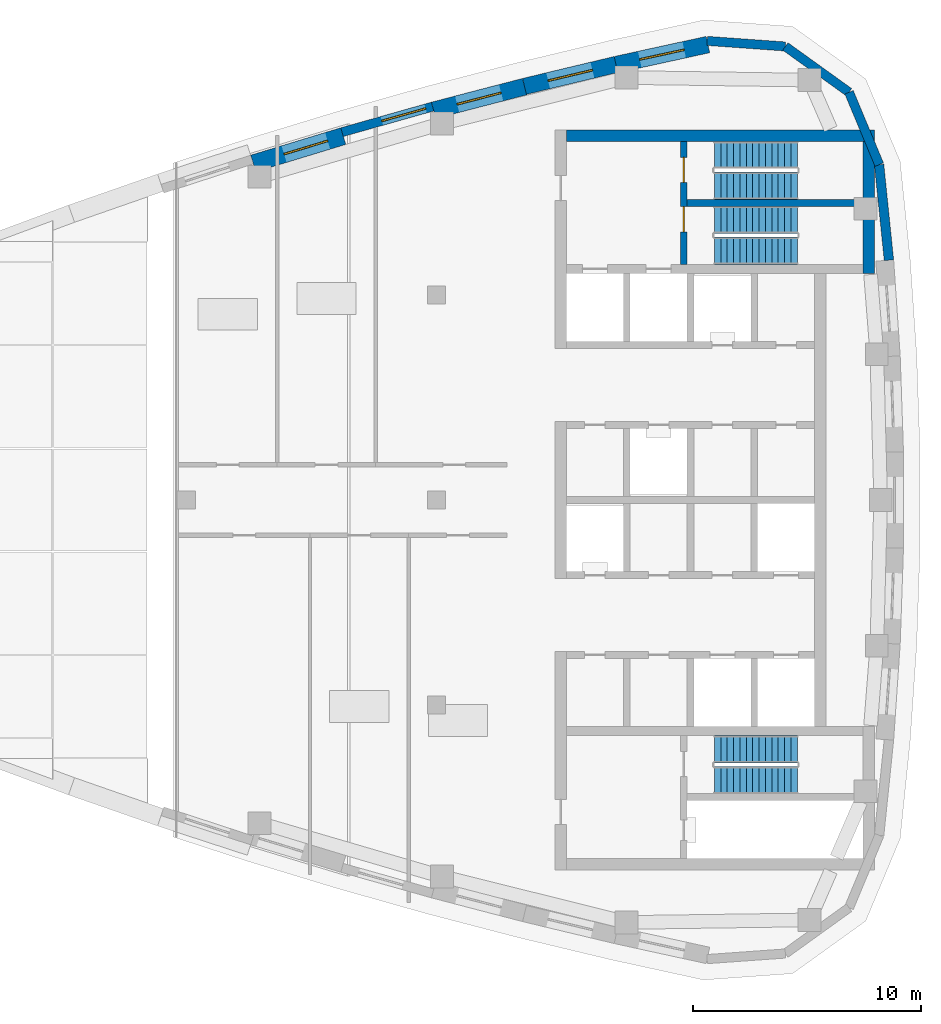
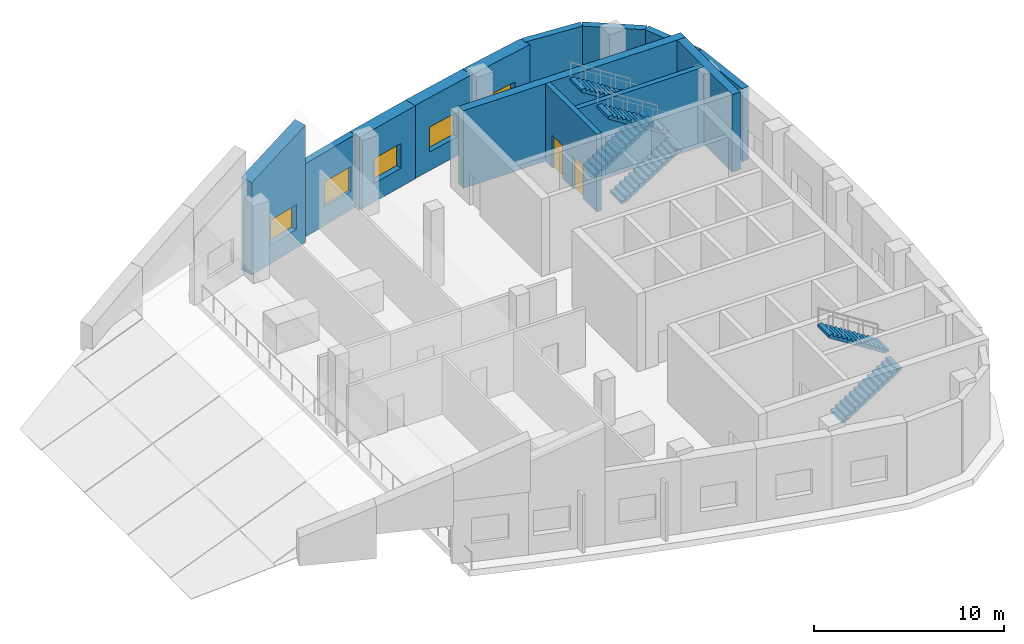
# One storey, part 4 of 8: 13 walls, 6 stair flights, 5 windows, 2 doors, 7 openings, 3 elements without a shape of their own.
"""IFC4 building model written with IfcOpenShell, lengths in metres."""

import ifcopenshell
import ifcopenshell.guid

model = None  # the IFC model being written
_history = None  # IfcOwnerHistory: only IFC2X3 demands one
_inside = {}  # id of a spatial element -> (the spatial element, [elements in it])
_under = {}  # id of a project, library or spatial element -> (it, [spatial elements below it])
_declared = {}  # id of a project -> (the project, [libraries it declares])
_typed = {}  # id of a type object -> (the type object, [elements of that type])
_made_of = {}  # id of a material, layer set ... -> (it, [elements and type objects made of it])


def new_model(schema):
    """Start an empty IFC model of exactly this schema.

    Asked for "IFC4X3", IfcOpenShell would pick the latest addendum, in which some entities
    have other attributes; the version numbers below select the first issue.
    IFC2X3 requires an IfcOwnerHistory on every rooted entity: one is made here for all.
    """
    global model, _history
    if schema == "IFC4X3":
        model = ifcopenshell.file(schema_version=(4, 3, 0, 0))
    else:
        model = ifcopenshell.file(schema=schema)
    _inside.clear()
    _under.clear()
    _declared.clear()
    _typed.clear()
    _made_of.clear()
    _history = None
    if model.schema == "IFC2X3":
        org = make("IfcOrganization", Name="unknown")
        user = make(
            "IfcPersonAndOrganization",
            ThePerson=make("IfcPerson", FamilyName="unknown"),
            TheOrganization=org,
        )
        app = make(
            "IfcApplication",
            ApplicationDeveloper=org,
            Version="unknown",
            ApplicationFullName="unknown",
            ApplicationIdentifier="unknown",
        )
        _history = make(
            "IfcOwnerHistory",
            OwningUser=user,
            OwningApplication=app,
            ChangeAction="ADDED",
            CreationDate=0,
        )
    return model


def make(cls, **values):
    """One entity of the class cls with the attributes given. An attribute that is None is left unset."""
    return model.create_entity(
        cls, **{name: value for name, value in values.items() if value is not None}
    )


def rooted(cls, **values):
    """An entity with a GlobalId (a new one), such as an element, a storey or a relation."""
    return make(cls, GlobalId=ifcopenshell.guid.new(), OwnerHistory=_history, **values)


def si_unit(unit_type, name, prefix=None):
    """IfcSIUnit, for example si_unit("LENGTHUNIT", "METRE", prefix="MILLI")."""
    return make("IfcSIUnit", UnitType=unit_type, Prefix=prefix, Name=name)


def assignment(units):
    """IfcUnitAssignment: the units of a project."""
    return None if units is None else make("IfcUnitAssignment", Units=units)


def point(xyz):
    """IfcCartesianPoint."""
    return None if xyz is None else make("IfcCartesianPoint", Coordinates=xyz)


def direction(xyz):
    """IfcDirection."""
    return None if xyz is None else make("IfcDirection", DirectionRatios=xyz)


def frame(location, z_axis=None, x_axis=None):
    """IfcAxis2Placement3D, a coordinate frame: its origin and axes. An axis left out is left unset."""
    return make(
        "IfcAxis2Placement3D",
        Location=point(location),
        Axis=direction(z_axis),
        RefDirection=direction(x_axis),
    )


def frame_2d(location, x_axis=None):
    """IfcAxis2Placement2D, a coordinate frame in the plane: its origin and x axis."""
    return make(
        "IfcAxis2Placement2D", Location=point(location), RefDirection=direction(x_axis)
    )


def origin():
    """The frame at (0, 0, 0) with its axes left unset."""
    return frame((0.0, 0.0, 0.0))


def place(relative_to, where):
    """IfcLocalPlacement: puts the frame where relative to a parent placement (None: the world)."""
    return make(
        "IfcLocalPlacement", PlacementRelTo=relative_to, RelativePlacement=where
    )


def context(
    kind, dimensions, precision=None, world=None, true_north=None, identifier=None
):
    """IfcGeometricRepresentationContext, for example the 3D "Model" context."""
    return make(
        "IfcGeometricRepresentationContext",
        ContextIdentifier=identifier,
        ContextType=kind,
        CoordinateSpaceDimension=dimensions,
        Precision=precision,
        WorldCoordinateSystem=world,
        TrueNorth=true_north,
    )


def subcontext(parent, identifier, kind, view, scale=None):
    """IfcGeometricRepresentationSubContext, for example "Body" below "Model"."""
    return make(
        "IfcGeometricRepresentationSubContext",
        ContextIdentifier=identifier,
        ContextType=kind,
        ParentContext=parent,
        TargetScale=scale,
        TargetView=view,
    )


def project(units=None, contexts=None):
    """IfcProject with its units and contexts."""
    return rooted(
        "IfcProject",
        Name="project",
        RepresentationContexts=contexts,
        UnitsInContext=assignment(units),
    )


def spatial(cls, under=None, at=None, **own):
    """A site, building, storey or space (cls), placed at a placement, below another one or the project."""
    s = rooted(cls, ObjectPlacement=at, **own)
    if under is not None:
        _under.setdefault(under.id(), (under, []))[1].append(s)
    return s


def polyline(points):
    """IfcPolyline through the points."""
    return make("IfcPolyline", Points=[point(p) for p in points])


def profile(cls, at=None, kind="AREA", **sizes):
    """A parametric profile (cls). Its sizes go by their IFC names, for example OverallWidth=200.0."""
    return make(cls, ProfileType=kind, Position=at, **sizes)


def rectangle(**sizes):
    """IfcRectangleProfileDef."""
    return profile("IfcRectangleProfileDef", **sizes)


def outline(outer, holes=None, kind="AREA"):
    """IfcArbitraryClosedProfileDef: a profile drawn as a closed curve; with holes, ...WithVoids."""
    if holes is None:
        return make("IfcArbitraryClosedProfileDef", ProfileType=kind, OuterCurve=outer)
    return make(
        "IfcArbitraryProfileDefWithVoids",
        ProfileType=kind,
        OuterCurve=outer,
        InnerCurves=holes,
    )


def extrude(swept, where, along, depth):
    """IfcExtrudedAreaSolid: the profile swept, set in the frame where, extruded along a direction by depth."""
    return make(
        "IfcExtrudedAreaSolid",
        SweptArea=swept,
        Position=where,
        ExtrudedDirection=direction(along),
        Depth=depth,
    )


def shape(context_of_items, identifier, shape_type, items):
    """IfcShapeRepresentation: the items that make up one representation, for example the "Body"."""
    return make(
        "IfcShapeRepresentation",
        ContextOfItems=context_of_items,
        RepresentationIdentifier=identifier,
        RepresentationType=shape_type,
        Items=items,
    )


def material(Name=None, Category=None):
    """IfcMaterial."""
    return make("IfcMaterial", Name=Name, Category=Category)


def layer(
    of_material, thickness, ventilated=None, Name=None, Category=None, Priority=None
):
    """IfcMaterialLayer: one layer of a wall or slab, of a material (None: an air gap)."""
    return make(
        "IfcMaterialLayer",
        Material=of_material,
        LayerThickness=thickness,
        IsVentilated=ventilated,
        Name=Name,
        Category=Category,
        Priority=Priority,
    )


def layer_set(layers, Name=None):
    """IfcMaterialLayerSet."""
    return make("IfcMaterialLayerSet", MaterialLayers=layers, LayerSetName=Name)


def made_of(thing, what):
    """Note that an element or type object is made of a material, layer set ...; save() writes the relation."""
    if what is not None:
        _made_of.setdefault(what.id(), (what, []))[1].append(thing)
    return thing


def type_object(cls, material=None, **own):
    """A type object (cls), such as IfcWallType, which elements share."""
    return made_of(rooted(cls, **own), material)


def element(
    cls,
    number,
    at=None,
    inside=None,
    cuts=None,
    type_object=None,
    material=None,
    context=None,
    identifier="Body",
    shape_type=None,
    held_by="IfcProductDefinitionShape",
    body=None,
    shapes=None,
    **own,
):
    """One element of the class cls, such as IfcWall. Its Tag is "e" and its number.

    at: its placement. inside: the storey or other place that contains it. cuts: it is an
    opening in that element (IfcRelVoidsElement). A single representation is given by context,
    identifier, shape_type and body (its items); several are given by shapes. held_by: the class
    of the entity that holds the representations. save() writes the other relations.
    """
    e = rooted(cls, Tag="e%d" % number, ObjectPlacement=at, **own)
    if body is not None:
        shapes = [shape(context, identifier, shape_type, body)]
    if shapes is not None:
        e.Representation = make(held_by, Representations=shapes)
    if inside is not None:
        _inside.setdefault(inside.id(), (inside, []))[1].append(e)
    if cuts is not None:
        rooted(
            "IfcRelVoidsElement", RelatingBuildingElement=cuts, RelatedOpeningElement=e
        )
    if type_object is not None:
        _typed.setdefault(type_object.id(), (type_object, []))[1].append(e)
    return made_of(e, material)


def fill(opening, filler):
    """IfcRelFillsElement: the door or window that sits in an opening."""
    return rooted(
        "IfcRelFillsElement",
        RelatingOpeningElement=opening,
        RelatedBuildingElement=filler,
    )


def aggregate(whole, parts):
    """IfcRelAggregates: a whole, such as a stair, and the parts it consists of."""
    return rooted("IfcRelAggregates", RelatingObject=whole, RelatedObjects=parts)


def save(model, path):
    """Write the relations noted so far, then the file.

    IfcRelAggregates (storeys below a building ...), IfcRelContainedInSpatialStructure (elements
    in a storey), IfcRelDefinesByType, IfcRelAssociatesMaterial and IfcRelDeclares: one each for
    every whole, place, type object, material and project.
    """
    for whole, parts in _under.values():
        aggregate(whole, parts)
    for where, things in _inside.values():
        rooted(
            "IfcRelContainedInSpatialStructure",
            RelatedElements=things,
            RelatingStructure=where,
        )
    for kind, things in _typed.values():
        rooted("IfcRelDefinesByType", RelatedObjects=things, RelatingType=kind)
    for what, things in _made_of.values():
        rooted("IfcRelAssociatesMaterial", RelatedObjects=things, RelatingMaterial=what)
    for by, libraries in _declared.values():
        rooted("IfcRelDeclares", RelatingContext=by, RelatedDefinitions=libraries)
    model.write(path)


model = new_model("IFC4")

# Units and contexts
model_context = context("Model", 3, precision=1e-05, world=origin(), true_north=direction((0.0, 1.0)))
body_context = subcontext(model_context, "Body", "Model", "MODEL_VIEW")
ifc_project = project(units=[si_unit("LENGTHUNIT", "METRE"), si_unit("AREAUNIT", "SQUARE_METRE"), si_unit("VOLUMEUNIT", "CUBIC_METRE"), si_unit("PLANEANGLEUNIT", "RADIAN"), si_unit("MASSUNIT", "GRAM", prefix="KILO")], contexts=[model_context])

# Site, building, storey
site_placement = place(None, origin())
site = spatial("IfcSite", under=ifc_project, at=site_placement, CompositionType="ELEMENT")
building_placement = place(site_placement, origin())
building = spatial("IfcBuilding", under=site, at=building_placement, Name="Ostrand Prow Hotel Tower", CompositionType="ELEMENT")
storey_placement = place(building_placement, frame((0.0, 0.0, 332.39990234375)))
storey = spatial("IfcBuildingStorey", under=building, at=storey_placement, Name="C6", CompositionType="ELEMENT", Elevation=332.39990234375)

# Wall, openings, doors
ifc_material_1 = material(Name="Concrete C40/50", Category="concrete")
ifc_layer_1 = layer(ifc_material_1, 0.300048828125)
ifc_layer_set_1 = layer_set([ifc_layer_1], Name="Concrete C40/50")
wall_type_1 = type_object("IfcWallType", Name="Core wall 300 C40/50", PredefinedType="SHEAR", material=ifc_layer_set_1)
wall_1_placement = place(storey_placement, frame((55.85009765625, 10.35009765625, 0.0), z_axis=(0.0, 0.0, 1.0), x_axis=(0.0, 1.0, 0.0)))
wall_1 = element("IfcWall", 1, at=wall_1_placement, inside=storey, type_object=wall_type_1, Name="Core wall PW-VN", PredefinedType="SHEAR", context=body_context, shape_type="SweptSolid", body=[
    extrude(rectangle(XDim=5.39990234375, YDim=0.300048828125, at=frame_2d((2.699951171875, 0.0))), origin(), (0.0, 0.0, 1.0), 5.0),
])
opening_1_placement = place(wall_1_placement, frame((1.429931640625, 0.0, 0.0)))
opening_1 = element("IfcOpeningElement", 2, at=opening_1_placement, cuts=wall_1, Name="Opening FD1", PredefinedType="OPENING", context=body_context, shape_type="SweptSolid", body=[
    extrude(rectangle(XDim=1.10009765625, YDim=2.10009765625, at=frame_2d((0.550048828125, 1.050048828125))), frame((0.0, 0.159912109375, 0.0), z_axis=(0.0, -1.0, 0.0), x_axis=(1.0, 0.0, 0.0)), (0.0, 0.0, 1.0), 0.320068359375),
])
opening_2_placement = place(wall_1_placement, frame((3.60009765625, 0.0, 0.0)))
opening_2 = element("IfcOpeningElement", 3, at=opening_2_placement, cuts=wall_1, Name="Opening FD1", PredefinedType="OPENING", context=body_context, shape_type="SweptSolid", body=[
    extrude(rectangle(XDim=1.10009765625, YDim=2.10009765625, at=frame_2d((0.550048828125, 1.050048828125))), frame((0.0, 0.159912109375, 0.0), z_axis=(0.0, -1.0, 0.0), x_axis=(1.0, 0.0, 0.0)), (0.0, 0.0, 1.0), 0.320068359375),
])
ifc_material_2 = material(Name="Steel fire door", Category="steel")
door_type = type_object("IfcDoorType", Name="Fire door 1100 EI120", OperationType="SINGLE_SWING_RIGHT", PredefinedType="DOOR", material=ifc_material_2)
door_1_placement = place(opening_1_placement, origin())
door_1 = element("IfcDoor", 4, at=door_1_placement, inside=storey, type_object=door_type, Name="FIRE DOOR", OperationType="SINGLE_SWING_RIGHT", OverallHeight=2.10009765625, OverallWidth=1.10009765625, PredefinedType="DOOR", context=body_context, shape_type="SweptSolid", body=[
    extrude(rectangle(XDim=1.10009765625, YDim=2.10009765625, at=frame_2d((0.550048828125, 1.050048828125))), frame((0.0, 0.02490234375, 0.0), z_axis=(0.0, -1.0, 0.0), x_axis=(1.0, 0.0, 0.0)), (0.0, 0.0, 1.0), 0.050048828125),
])
fill(opening_1, door_1)
door_2_placement = place(opening_2_placement, origin())
door_2 = element("IfcDoor", 5, at=door_2_placement, inside=storey, type_object=door_type, Name="FIRE DOOR", OperationType="SINGLE_SWING_RIGHT", OverallHeight=2.10009765625, OverallWidth=1.10009765625, PredefinedType="DOOR", context=body_context, shape_type="SweptSolid", body=[
    extrude(rectangle(XDim=1.10009765625, YDim=2.10009765625, at=frame_2d((0.550048828125, 1.050048828125))), frame((0.0, 0.02490234375, 0.0), z_axis=(0.0, -1.0, 0.0), x_axis=(1.0, 0.0, 0.0)), (0.0, 0.0, 1.0), 0.050048828125),
])
fill(opening_2, door_2)

# Walls
wall_2_placement = place(storey_placement, frame((56.0, 13.050048828125, 0.0), z_axis=(0.0, 0.0, 1.0), x_axis=(1.0, 0.0, 0.0)))
element("IfcWall", 6, at=wall_2_placement, inside=storey, type_object=wall_type_1, Name="Core wall PW-ST13", PredefinedType="SHEAR", context=body_context, shape_type="SweptSolid", body=[
    extrude(rectangle(XDim=7.719970703125, YDim=0.300048828125, at=frame_2d((3.85986328125, 0.0))), origin(), (0.0, 0.0, 1.0), 5.0),
])
ifc_material_3 = material(Name="Concrete C40/50", Category="concrete")
ifc_layer_2 = layer(ifc_material_3, 0.5)
ifc_layer_set_2 = layer_set([ifc_layer_2], Name="Concrete C40/50")
wall_type_2 = type_object("IfcWallType", Name="Core wall 500 C40/50", PredefinedType="SHEAR", material=ifc_layer_set_2)
wall_3_placement = place(storey_placement, frame((50.699951171875, 16.0, 0.0), z_axis=(0.0, 0.0, 1.0), x_axis=(1.0, 0.0, 0.0)))
element("IfcWall", 7, at=wall_3_placement, inside=storey, type_object=wall_type_2, Name="Core wall CW-N", PredefinedType="SHEAR", context=body_context, shape_type="SweptSolid", body=[
    extrude(rectangle(XDim=13.52001953125, YDim=0.5, at=frame_2d((6.760009765625, 0.0))), origin(), (0.0, 0.0, 1.0), 5.0),
])
wall_4_placement = place(storey_placement, frame((63.969970703125, 9.949951171875, 0.0), z_axis=(0.0, 0.0, 1.0), x_axis=(0.0, 1.0, 0.0)))
element("IfcWall", 8, at=wall_4_placement, inside=storey, type_object=wall_type_2, Name="Core wall CW-E-N", PredefinedType="SHEAR", context=body_context, shape_type="SweptSolid", body=[
    extrude(rectangle(XDim=5.800048828125, YDim=0.5, at=frame_2d((2.89990234375, 0.0))), origin(), (0.0, 0.0, 1.0), 5.0),
])
ifc_material_4 = material(Name="Precast concrete C40/50", Category="concrete")
ifc_layer_3 = layer(ifc_material_4, 0.39990234375)
ifc_layer_set_3 = layer_set([ifc_layer_3], Name="Precast concrete C40/50")
wall_type_3 = type_object("IfcWallType", Name="Stone-faced precast wall 400 mm", PredefinedType="NOTDEFINED", material=ifc_layer_set_3)
wall_5_placement = place(storey_placement, frame((64.86328125, 10.531005859375, 0.0), z_axis=(0.0, 0.0, 1.0), x_axis=(-0.102219795478, 0.994761837533, 0.0)))
element("IfcWall", 9, at=wall_5_placement, inside=storey, type_object=wall_type_3, Name="Crown side wall C6 25", PredefinedType="NOTDEFINED", context=body_context, shape_type="SweptSolid", body=[
    extrude(rectangle(XDim=4.2177734375, YDim=0.413818359375, at=frame_2d((2.10888671875, 0.0))), origin(), (0.0, 0.0, 1.0), 4.7001953125),
])
for number, where, z_axis, x_axis, name in (
    (10, (64.43896484375, 14.727294921875, 0.0), (0.0, 0.0, 1.0), (-0.385279586197, 0.922799891884, 0.0), "Crown side wall C6 26"),
    (11, (63.11181640625, 17.906005859375, 0.0), (0.0, 0.0, 1.0), (-0.811948187253, 0.583729510319, 0.0), "Crown side wall C6 27"),
):
    element("IfcWall", number, at=place(storey_placement, frame(where, z_axis=z_axis, x_axis=x_axis)), inside=storey, type_object=wall_type_3, Name=name, PredefinedType="NOTDEFINED", context=body_context, shape_type="SweptSolid", body=[
        extrude(rectangle(XDim=3.444580078125, YDim=0.39990234375, at=frame_2d((1.72216796875, 0.0))), origin(), (0.0, 0.0, 1.0), 4.7001953125),
    ])
wall_6_placement = place(storey_placement, frame((60.31494140625, 19.916748046875, 0.0), z_axis=(0.0, 0.0, 1.0), x_axis=(-0.997465171407, 0.071156389945, 0.0)))
element("IfcWall", 12, at=wall_6_placement, inside=storey, type_object=wall_type_3, Name="Crown side wall C6 28", PredefinedType="NOTDEFINED", context=body_context, shape_type="SweptSolid", body=[
    extrude(rectangle(XDim=3.44482421875, YDim=0.39990234375, at=frame_2d((1.722412109375, 0.0))), origin(), (0.0, 0.0, 1.0), 4.7001953125),
])

# Wall, opening, window
wall_7_placement = place(storey_placement, frame((56.91455078125, 19.99951171875, 0.0), z_axis=(0.0, 0.0, 1.0), x_axis=(-0.977019340581, -0.213150670022, 0.0)))
wall_7 = element("IfcWall", 13, at=wall_7_placement, inside=storey, type_object=wall_type_3, Name="Crown side wall C6 29", PredefinedType="NOTDEFINED", context=body_context, shape_type="SweptSolid", body=[
    extrude(rectangle(XDim=4.132568359375, YDim=0.732666015625, at=frame_2d((2.06640625, 0.0))), origin(), (0.0, 0.0, 1.0), 4.7001953125),
])
opening_3_placement = place(wall_7_placement, frame((1.06640625, 0.0, 1.199951171875)))
opening_3 = element("IfcOpeningElement", 14, at=opening_3_placement, cuts=wall_7, Name="Opening WV1", PredefinedType="OPENING", context=body_context, shape_type="SweptSolid", body=[
    extrude(rectangle(XDim=2.0, YDim=1.60009765625, at=frame_2d((1.0, 0.800048828125))), frame((0.0, 0.376220703125, 0.0), z_axis=(0.0, -1.0, 0.0), x_axis=(1.0, 0.0, 0.0)), (0.0, 0.0, 1.0), 0.752685546875),
])
ifc_material_5 = material(Name="Bronze anodised aluminium louvre", Category="aluminium")
window_type = type_object("IfcWindowType", Name="Louvre vent 2000x1600", PartitioningType="SINGLE_PANEL", PredefinedType="WINDOW", material=ifc_material_5)
window_1_placement = place(opening_3_placement, origin())
window_1 = element("IfcWindow", 15, at=window_1_placement, inside=storey, type_object=window_type, Name="Louvre vent 29.1", OverallHeight=1.60009765625, OverallWidth=2.0, PartitioningType="SINGLE_PANEL", PredefinedType="WINDOW", context=body_context, shape_type="SweptSolid", body=[
    extrude(rectangle(XDim=2.0, YDim=1.60009765625, at=frame_2d((1.0, 0.800048828125))), frame((0.0, 0.030029296875, 0.0), z_axis=(0.0, -1.0, 0.0), x_axis=(1.0, 0.0, 0.0)), (0.0, 0.0, 1.0), 0.06005859375),
])
fill(opening_3, window_1)

wall_8_placement = place(storey_placement, frame((52.87890625, 19.125, 0.0), z_axis=(0.0, 0.0, 1.0), x_axis=(-0.972546345517, -0.232709273174, 0.0)))
wall_8 = element("IfcWall", 16, at=wall_8_placement, inside=storey, type_object=wall_type_3, Name="Crown side wall C6 30", PredefinedType="NOTDEFINED", context=body_context, shape_type="SweptSolid", body=[
    extrude(rectangle(XDim=4.132568359375, YDim=0.720703125, at=frame_2d((2.06640625, 0.0))), origin(), (0.0, 0.0, 1.0), 4.7001953125),
])
opening_4_placement = place(wall_8_placement, frame((1.06640625, 0.0, 1.199951171875)))
opening_4 = element("IfcOpeningElement", 17, at=opening_4_placement, cuts=wall_8, Name="Opening WV1", PredefinedType="OPENING", context=body_context, shape_type="SweptSolid", body=[
    extrude(rectangle(XDim=2.0, YDim=1.60009765625, at=frame_2d((1.0, 0.800048828125))), frame((0.0, 0.370361328125, 0.0), z_axis=(0.0, -1.0, 0.0), x_axis=(1.0, 0.0, 0.0)), (0.0, 0.0, 1.0), 0.74072265625),
])
window_2_placement = place(opening_4_placement, origin())
window_2 = element("IfcWindow", 18, at=window_2_placement, inside=storey, type_object=window_type, Name="Louvre vent 30.1", OverallHeight=1.60009765625, OverallWidth=2.0, PartitioningType="SINGLE_PANEL", PredefinedType="WINDOW", context=body_context, shape_type="SweptSolid", body=[
    extrude(rectangle(XDim=2.0, YDim=1.60009765625, at=frame_2d((1.0, 0.800048828125))), frame((0.0, 0.030029296875, 0.0), z_axis=(0.0, -1.0, 0.0), x_axis=(1.0, 0.0, 0.0)), (0.0, 0.0, 1.0), 0.06005859375),
])
fill(opening_4, window_2)

wall_9_placement = place(storey_placement, frame((48.865966796875, 18.152587890625, 0.0), z_axis=(0.0, 0.0, 1.0), x_axis=(-0.967657413064, -0.252267974466, 0.0)))
wall_9 = element("IfcWall", 19, at=wall_9_placement, inside=storey, type_object=wall_type_3, Name="Crown side wall C6 31", PredefinedType="NOTDEFINED", context=body_context, shape_type="SweptSolid", body=[
    extrude(rectangle(XDim=4.13232421875, YDim=0.74462890625, at=frame_2d((2.066162109375, 0.0))), origin(), (0.0, 0.0, 1.0), 4.7001953125),
])
opening_5_placement = place(wall_9_placement, frame((1.06640625, 0.0, 1.199951171875)))
opening_5 = element("IfcOpeningElement", 20, at=opening_5_placement, cuts=wall_9, Name="Opening WV1", PredefinedType="OPENING", context=body_context, shape_type="SweptSolid", body=[
    extrude(rectangle(XDim=2.0, YDim=1.60009765625, at=frame_2d((1.0, 0.800048828125))), frame((0.0, 0.38232421875, 0.0), z_axis=(0.0, -1.0, 0.0), x_axis=(1.0, 0.0, 0.0)), (0.0, 0.0, 1.0), 0.7646484375),
])
window_3_placement = place(opening_5_placement, origin())
window_3 = element("IfcWindow", 21, at=window_3_placement, inside=storey, type_object=window_type, Name="Louvre vent 31.1", OverallHeight=1.60009765625, OverallWidth=2.0, PartitioningType="SINGLE_PANEL", PredefinedType="WINDOW", context=body_context, shape_type="SweptSolid", body=[
    extrude(rectangle(XDim=2.0, YDim=1.60009765625, at=frame_2d((1.0, 0.800048828125))), frame((0.0, 0.030029296875, 0.0), z_axis=(0.0, -1.0, 0.0), x_axis=(1.0, 0.0, 0.0)), (0.0, 0.0, 1.0), 0.06005859375),
])
fill(opening_5, window_3)

wall_10_placement = place(storey_placement, frame((44.823486328125, 17.27685546875, 0.0), z_axis=(0.0, 0.0, 1.0), x_axis=(-0.962397415317, -0.27164538463, 0.0)))
wall_10 = element("IfcWall", 22, at=wall_10_placement, inside=storey, type_object=wall_type_3, Name="Crown side wall C6 32", PredefinedType="NOTDEFINED", context=body_context, shape_type="SweptSolid", body=[
    extrude(rectangle(XDim=4.13232421875, YDim=0.39990234375, at=frame_2d((2.066162109375, 0.0))), origin(), (0.0, 0.0, 1.0), 4.7001953125),
])
opening_6_placement = place(wall_10_placement, frame((0.31640625, 0.0, 1.199951171875)))
opening_6 = element("IfcOpeningElement", 23, at=opening_6_placement, cuts=wall_10, Name="Opening WV1", PredefinedType="OPENING", context=body_context, shape_type="SweptSolid", body=[
    extrude(rectangle(XDim=2.0, YDim=1.60009765625, at=frame_2d((1.0, 0.800048828125))), frame((0.0, 0.2099609375, 0.0), z_axis=(0.0, -1.0, 0.0), x_axis=(1.0, 0.0, 0.0)), (0.0, 0.0, 1.0), 0.419921875),
])
window_4_placement = place(opening_6_placement, origin())
window_4 = element("IfcWindow", 24, at=window_4_placement, inside=storey, type_object=window_type, Name="Louvre vent 32.1", OverallHeight=1.60009765625, OverallWidth=2.0, PartitioningType="SINGLE_PANEL", PredefinedType="WINDOW", context=body_context, shape_type="SweptSolid", body=[
    extrude(rectangle(XDim=2.0, YDim=1.60009765625, at=frame_2d((1.0, 0.800048828125))), frame((0.0, 0.030029296875, 0.0), z_axis=(0.0, -1.0, 0.0), x_axis=(1.0, 0.0, 0.0)), (0.0, 0.0, 1.0), 0.06005859375),
])
fill(opening_6, window_4)

wall_11_placement = place(storey_placement, frame((40.899658203125, 15.979736328125, 0.0), z_axis=(0.0, 0.0, 1.0), x_axis=(-0.956738247994, -0.290950038368, 0.0)))
wall_11 = element("IfcWall", 25, at=wall_11_placement, inside=storey, type_object=wall_type_3, Name="Crown side wall C6 33", PredefinedType="NOTDEFINED", context=body_context, shape_type="SweptSolid", body=[
    extrude(outline(polyline([(0.0, 0.0), (4.132568359375, 0.0), (4.132568359375, 5.96484375), (0.0, 7.56201171875), (0.0, 0.0)])), frame((0.0, 0.38232421875, 0.0), z_axis=(0.0, -1.0, 0.0), x_axis=(1.0, 0.0, 0.0)), (0.0, 0.0, 1.0), 0.764892578125),
])
opening_7_placement = place(wall_11_placement, frame((0.71630859375, 0.0, 1.199951171875)))
opening_7 = element("IfcOpeningElement", 26, at=opening_7_placement, cuts=wall_11, Name="Opening WV1", PredefinedType="OPENING", context=body_context, shape_type="SweptSolid", body=[
    extrude(rectangle(XDim=2.0, YDim=1.60009765625, at=frame_2d((1.0, 0.800048828125))), frame((0.0, 0.392333984375, 0.0), z_axis=(0.0, -1.0, 0.0), x_axis=(1.0, 0.0, 0.0)), (0.0, 0.0, 1.0), 0.784912109375),
])
window_5_placement = place(opening_7_placement, origin())
window_5 = element("IfcWindow", 27, at=window_5_placement, inside=storey, type_object=window_type, Name="Louvre vent 33.1", OverallHeight=1.60009765625, OverallWidth=2.0, PartitioningType="SINGLE_PANEL", PredefinedType="WINDOW", context=body_context, shape_type="SweptSolid", body=[
    extrude(rectangle(XDim=2.0, YDim=1.60009765625, at=frame_2d((1.0, 0.800048828125))), frame((0.0, 0.030029296875, 0.0), z_axis=(0.0, -1.0, 0.0), x_axis=(1.0, 0.0, 0.0)), (0.0, 0.0, 1.0), 0.06005859375),
])
fill(opening_7, window_5)

# Stair, stair flights
ifc_material_6 = material(Name="Concrete C40/50", Category="concrete")
stair_type = type_object("IfcStairType", Name="Exit stair 1200 upper zone", PredefinedType="HALF_TURN_STAIR", material=ifc_material_6)
stair_1_placement = place(storey_placement, origin())
stair_1 = element("IfcStair", 28, at=stair_1_placement, inside=storey, type_object=stair_type, Name="C6 ST1C", PredefinedType="HALF_TURN_STAIR")
ifc_material_7 = material(Name="Concrete C40/50", Category="concrete")
stair_flight_type = type_object("IfcStairFlightType", Name="Stair flight 1200 concrete", PredefinedType="STRAIGHT", material=ifc_material_7)
stair_flight_1_placement = place(storey_placement, frame((57.199951171875, 10.949951171875, 0.0), z_axis=(0.0, 0.0, 1.0), x_axis=(1.0, 0.0, 0.0)))
stair_flight_1 = element("IfcStairFlight", 29, at=stair_flight_1_placement, type_object=stair_flight_type, Name="ST1C flight 1", NumberOfRisers=14, NumberOfTreads=13, PredefinedType="STRAIGHT", RiserHeight=0.178571429, TreadLength=0.28, context=body_context, shape_type="SweptSolid", body=[
    extrude(outline(polyline([(0.0, 0.0), (0.0, 0.178466796875), (0.280029296875, 0.178466796875), (0.280029296875, 0.357177734375), (0.56005859375, 0.357177734375), (0.56005859375, 0.53564453125), (0.840087890625, 0.53564453125), (0.840087890625, 0.71435546875), (1.1201171875, 0.71435546875), (1.1201171875, 0.892822265625), (1.39990234375, 0.892822265625), (1.39990234375, 1.071533203125), (1.679931640625, 1.071533203125), (1.679931640625, 1.25), (1.9599609375, 1.25), (1.9599609375, 1.428466796875), (2.239990234375, 1.428466796875), (2.239990234375, 1.607177734375), (2.52001953125, 1.607177734375), (2.52001953125, 1.78564453125), (2.800048828125, 1.78564453125), (2.800048828125, 1.96435546875), (3.080078125, 1.96435546875), (3.080078125, 2.142822265625), (3.360107421875, 2.142822265625), (3.360107421875, 2.321533203125), (3.639892578125, 2.321533203125), (3.639892578125, 2.5), (3.639892578125, 2.1435546875), (0.27880859375, 0.0), (0.0, 0.0)])), frame((0.0, 0.60009765625, 0.0), z_axis=(0.0, -1.0, 0.0), x_axis=(1.0, 0.0, 0.0)), (0.0, 0.0, 1.0), 1.199951171875),
])
stair_flight_2_placement = place(storey_placement, frame((60.840087890625, 12.300048828125, 2.5), z_axis=(0.0, 0.0, 1.0), x_axis=(-1.0, 0.0, 0.0)))
stair_flight_2 = element("IfcStairFlight", 30, at=stair_flight_2_placement, type_object=stair_flight_type, Name="ST1C flight 2", NumberOfRisers=14, NumberOfTreads=13, PredefinedType="STRAIGHT", RiserHeight=0.178571429, TreadLength=0.28, context=body_context, shape_type="SweptSolid", body=[
    extrude(outline(polyline([(0.0, 0.0), (0.0, 0.178466796875), (0.280029296875, 0.178466796875), (0.280029296875, 0.357177734375), (0.56005859375, 0.357177734375), (0.56005859375, 0.53564453125), (0.840087890625, 0.53564453125), (0.840087890625, 0.71435546875), (1.1201171875, 0.71435546875), (1.1201171875, 0.892822265625), (1.39990234375, 0.892822265625), (1.39990234375, 1.071533203125), (1.679931640625, 1.071533203125), (1.679931640625, 1.25), (1.9599609375, 1.25), (1.9599609375, 1.428466796875), (2.239990234375, 1.428466796875), (2.239990234375, 1.607177734375), (2.52001953125, 1.607177734375), (2.52001953125, 1.78564453125), (2.800048828125, 1.78564453125), (2.800048828125, 1.96435546875), (3.080078125, 1.96435546875), (3.080078125, 2.142822265625), (3.360107421875, 2.142822265625), (3.360107421875, 2.321533203125), (3.639892578125, 2.321533203125), (3.639892578125, 2.5), (3.639892578125, 2.1435546875), (0.27880859375, 0.0), (0.0, 0.0)])), frame((0.0, 0.60009765625, 0.0), z_axis=(0.0, -1.0, 0.0), x_axis=(1.0, 0.0, 0.0)), (0.0, 0.0, 1.0), 1.199951171875),
])
aggregate(stair_1, [stair_flight_1, stair_flight_2])

stair_2_placement = place(storey_placement, origin())
stair_2 = element("IfcStair", 31, at=stair_2_placement, inside=storey, type_object=stair_type, Name="C6 ST3C", PredefinedType="HALF_TURN_STAIR")
stair_flight_3_placement = place(storey_placement, frame((57.199951171875, 13.800048828125, 0.0), z_axis=(0.0, 0.0, 1.0), x_axis=(1.0, 0.0, 0.0)))
stair_flight_3 = element("IfcStairFlight", 32, at=stair_flight_3_placement, type_object=stair_flight_type, Name="ST3C flight 1", NumberOfRisers=14, NumberOfTreads=13, PredefinedType="STRAIGHT", RiserHeight=0.178571429, TreadLength=0.28, context=body_context, shape_type="SweptSolid", body=[
    extrude(outline(polyline([(0.0, 0.0), (0.0, 0.178466796875), (0.280029296875, 0.178466796875), (0.280029296875, 0.357177734375), (0.56005859375, 0.357177734375), (0.56005859375, 0.53564453125), (0.840087890625, 0.53564453125), (0.840087890625, 0.71435546875), (1.1201171875, 0.71435546875), (1.1201171875, 0.892822265625), (1.39990234375, 0.892822265625), (1.39990234375, 1.071533203125), (1.679931640625, 1.071533203125), (1.679931640625, 1.25), (1.9599609375, 1.25), (1.9599609375, 1.428466796875), (2.239990234375, 1.428466796875), (2.239990234375, 1.607177734375), (2.52001953125, 1.607177734375), (2.52001953125, 1.78564453125), (2.800048828125, 1.78564453125), (2.800048828125, 1.96435546875), (3.080078125, 1.96435546875), (3.080078125, 2.142822265625), (3.360107421875, 2.142822265625), (3.360107421875, 2.321533203125), (3.639892578125, 2.321533203125), (3.639892578125, 2.5), (3.639892578125, 2.1435546875), (0.27880859375, 0.0), (0.0, 0.0)])), frame((0.0, 0.60009765625, 0.0), z_axis=(0.0, -1.0, 0.0), x_axis=(1.0, 0.0, 0.0)), (0.0, 0.0, 1.0), 1.199951171875),
])
stair_flight_4_placement = place(storey_placement, frame((60.840087890625, 15.14990234375, 2.5), z_axis=(0.0, 0.0, 1.0), x_axis=(-1.0, 0.0, 0.0)))
stair_flight_4 = element("IfcStairFlight", 33, at=stair_flight_4_placement, type_object=stair_flight_type, Name="ST3C flight 2", NumberOfRisers=14, NumberOfTreads=13, PredefinedType="STRAIGHT", RiserHeight=0.178571429, TreadLength=0.28, context=body_context, shape_type="SweptSolid", body=[
    extrude(outline(polyline([(0.0, 0.0), (0.0, 0.178466796875), (0.280029296875, 0.178466796875), (0.280029296875, 0.357177734375), (0.56005859375, 0.357177734375), (0.56005859375, 0.53564453125), (0.840087890625, 0.53564453125), (0.840087890625, 0.71435546875), (1.1201171875, 0.71435546875), (1.1201171875, 0.892822265625), (1.39990234375, 0.892822265625), (1.39990234375, 1.071533203125), (1.679931640625, 1.071533203125), (1.679931640625, 1.25), (1.9599609375, 1.25), (1.9599609375, 1.428466796875), (2.239990234375, 1.428466796875), (2.239990234375, 1.607177734375), (2.52001953125, 1.607177734375), (2.52001953125, 1.78564453125), (2.800048828125, 1.78564453125), (2.800048828125, 1.96435546875), (3.080078125, 1.96435546875), (3.080078125, 2.142822265625), (3.360107421875, 2.142822265625), (3.360107421875, 2.321533203125), (3.639892578125, 2.321533203125), (3.639892578125, 2.5), (3.639892578125, 2.1435546875), (0.27880859375, 0.0), (0.0, 0.0)])), frame((0.0, 0.60009765625, 0.0), z_axis=(0.0, -1.0, 0.0), x_axis=(1.0, 0.0, 0.0)), (0.0, 0.0, 1.0), 1.199951171875),
])
aggregate(stair_2, [stair_flight_3, stair_flight_4])

stair_3_placement = place(storey_placement, origin())
stair_3 = element("IfcStair", 34, at=stair_3_placement, inside=storey, type_object=stair_type, Name="C6 ST2C", PredefinedType="HALF_TURN_STAIR")
stair_flight_5_placement = place(storey_placement, frame((57.199951171875, -12.300048828125, 0.0), z_axis=(0.0, 0.0, 1.0), x_axis=(1.0, 0.0, 0.0)))
stair_flight_5 = element("IfcStairFlight", 35, at=stair_flight_5_placement, type_object=stair_flight_type, Name="ST2C flight 1", NumberOfRisers=14, NumberOfTreads=13, PredefinedType="STRAIGHT", RiserHeight=0.178571429, TreadLength=0.28, context=body_context, shape_type="SweptSolid", body=[
    extrude(outline(polyline([(0.0, 0.0), (0.0, 0.178466796875), (0.280029296875, 0.178466796875), (0.280029296875, 0.357177734375), (0.56005859375, 0.357177734375), (0.56005859375, 0.53564453125), (0.840087890625, 0.53564453125), (0.840087890625, 0.71435546875), (1.1201171875, 0.71435546875), (1.1201171875, 0.892822265625), (1.39990234375, 0.892822265625), (1.39990234375, 1.071533203125), (1.679931640625, 1.071533203125), (1.679931640625, 1.25), (1.9599609375, 1.25), (1.9599609375, 1.428466796875), (2.239990234375, 1.428466796875), (2.239990234375, 1.607177734375), (2.52001953125, 1.607177734375), (2.52001953125, 1.78564453125), (2.800048828125, 1.78564453125), (2.800048828125, 1.96435546875), (3.080078125, 1.96435546875), (3.080078125, 2.142822265625), (3.360107421875, 2.142822265625), (3.360107421875, 2.321533203125), (3.639892578125, 2.321533203125), (3.639892578125, 2.5), (3.639892578125, 2.1435546875), (0.27880859375, 0.0), (0.0, 0.0)])), frame((0.0, 0.60009765625, 0.0), z_axis=(0.0, -1.0, 0.0), x_axis=(1.0, 0.0, 0.0)), (0.0, 0.0, 1.0), 1.199951171875),
])
stair_flight_6_placement = place(storey_placement, frame((60.840087890625, -10.949951171875, 2.5), z_axis=(0.0, 0.0, 1.0), x_axis=(-1.0, 0.0, 0.0)))
stair_flight_6 = element("IfcStairFlight", 36, at=stair_flight_6_placement, type_object=stair_flight_type, Name="ST2C flight 2", NumberOfRisers=14, NumberOfTreads=13, PredefinedType="STRAIGHT", RiserHeight=0.178571429, TreadLength=0.28, context=body_context, shape_type="SweptSolid", body=[
    extrude(outline(polyline([(0.0, 0.0), (0.0, 0.178466796875), (0.280029296875, 0.178466796875), (0.280029296875, 0.357177734375), (0.56005859375, 0.357177734375), (0.56005859375, 0.53564453125), (0.840087890625, 0.53564453125), (0.840087890625, 0.71435546875), (1.1201171875, 0.71435546875), (1.1201171875, 0.892822265625), (1.39990234375, 0.892822265625), (1.39990234375, 1.071533203125), (1.679931640625, 1.071533203125), (1.679931640625, 1.25), (1.9599609375, 1.25), (1.9599609375, 1.428466796875), (2.239990234375, 1.428466796875), (2.239990234375, 1.607177734375), (2.52001953125, 1.607177734375), (2.52001953125, 1.78564453125), (2.800048828125, 1.78564453125), (2.800048828125, 1.96435546875), (3.080078125, 1.96435546875), (3.080078125, 2.142822265625), (3.360107421875, 2.142822265625), (3.360107421875, 2.321533203125), (3.639892578125, 2.321533203125), (3.639892578125, 2.5), (3.639892578125, 2.1435546875), (0.27880859375, 0.0), (0.0, 0.0)])), frame((0.0, 0.60009765625, 0.0), z_axis=(0.0, -1.0, 0.0), x_axis=(1.0, 0.0, 0.0)), (0.0, 0.0, 1.0), 1.199951171875),
])
aggregate(stair_3, [stair_flight_5, stair_flight_6])

save(model, "model.ifc")
